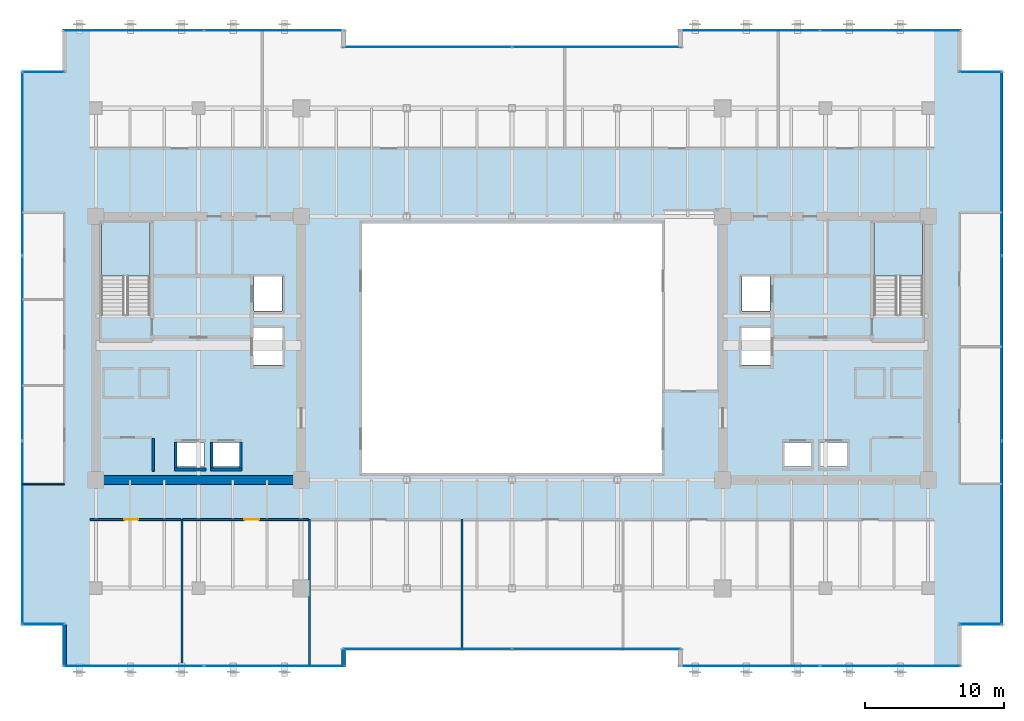
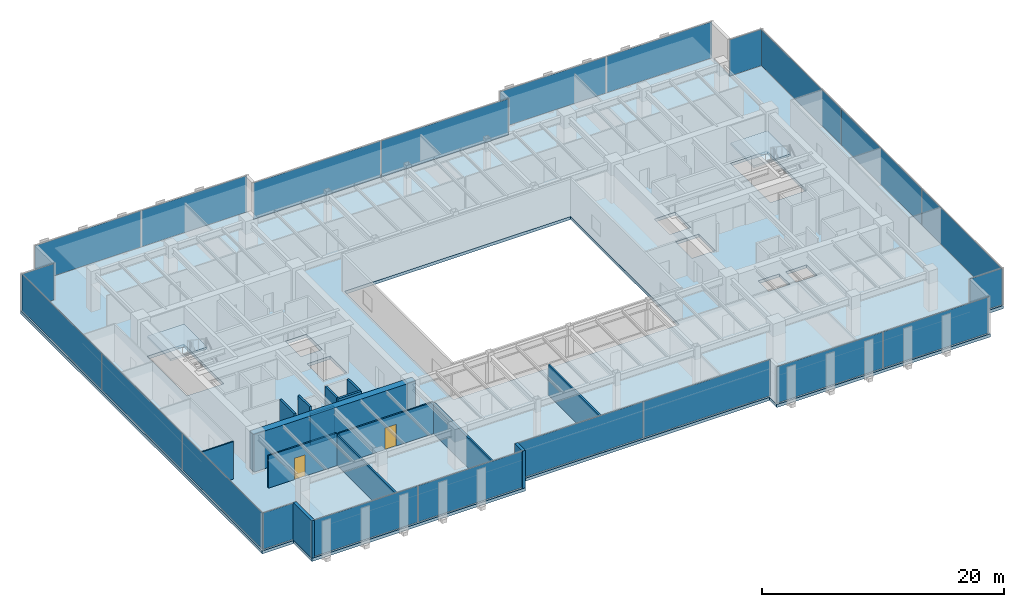
# One storey, part 24 of 34: 22 plates, 15 walls, 3 slabs, 2 doors, 2 openings, 14 elements without a shape of their own.
"""IFC4 building model written with IfcOpenShell, lengths in metres."""

from ifc_helpers import new_model, si_unit, direction, frame, frame_2d, origin, origin_2d, place, context, subcontext, project, spatial, polyline, rectangle, outline, extrude, source, transform, mapped, material, layer, layer_set, type_object, type_shapes, element, fill, aggregate, save


model = new_model("IFC4")

# Units and contexts
model_context = context("Model", 3, precision=1e-05, world=origin(), true_north=direction((0.0, 1.0)))
body_context = subcontext(model_context, "Body", "Model", "MODEL_VIEW")
ifc_project = project(units=[si_unit("LENGTHUNIT", "METRE"), si_unit("AREAUNIT", "SQUARE_METRE"), si_unit("VOLUMEUNIT", "CUBIC_METRE"), si_unit("PLANEANGLEUNIT", "RADIAN"), si_unit("MASSUNIT", "GRAM", prefix="KILO")], contexts=[model_context])

# Site, building, storey
site_placement = place(None, origin())
site = spatial("IfcSite", under=ifc_project, at=site_placement, CompositionType="ELEMENT")
building_placement = place(site_placement, origin())
building = spatial("IfcBuilding", under=site, at=building_placement, Name="Haelvirn Gate Laboratories", CompositionType="ELEMENT")
storey_placement = place(building_placement, frame((0.0, 0.0, 158.39990234375)))
storey = spatial("IfcBuildingStorey", under=building, at=storey_placement, Name="L38", CompositionType="ELEMENT", Elevation=158.39990234375)

# Stair, slab
ifc_material_1 = material(Name="Concrete C40/50", Category="concrete")
stair_type = type_object("IfcStairType", Name="ST-DOG-1650-R22", PredefinedType="HALF_TURN_STAIR", material=ifc_material_1)
stair_1_placement = place(storey_placement, origin())
stair_1 = element("IfcStair", 1, at=stair_1_placement, inside=storey, type_object=stair_type, Name="L38 Escape Stair ST1", PredefinedType="HALF_TURN_STAIR")
ifc_layer_1 = layer(ifc_material_1, 0.199951171875, Name="SL-STAIR-LND")
ifc_layer_set_1 = layer_set([ifc_layer_1], Name="Concrete C40/50")
slab_type_1 = type_object("IfcSlabType", Name="SL-STAIR-LND", PredefinedType="LANDING", material=ifc_layer_set_1)
slab_1_placement = place(storey_placement, frame((0.0, 0.0, 1.85009765625)))
slab_1 = element("IfcSlab", 2, at=slab_1_placement, type_object=slab_type_1, Name="ST1 landing 1", PredefinedType="LANDING", context=body_context, shape_type="SweptSolid", body=[
    extrude(outline(polyline([(11.300048828125, 29.5), (11.300048828125, 33.35009765625), (7.800048828125, 33.35009765625), (7.800048828125, 29.5), (11.300048828125, 29.5)])), origin(), (0.0, 0.0, 1.0), 0.199951171875),
])
aggregate(stair_1, [slab_1])

stair_2_placement = place(storey_placement, origin())
stair_2 = element("IfcStair", 3, at=stair_2_placement, inside=storey, type_object=stair_type, Name="L38 Escape Stair ST2", PredefinedType="HALF_TURN_STAIR")
slab_2_placement = place(storey_placement, frame((0.0, 0.0, 1.85009765625)))
slab_2 = element("IfcSlab", 4, at=slab_2_placement, type_object=slab_type_1, Name="ST2 landing 1", PredefinedType="LANDING", context=body_context, shape_type="SweptSolid", body=[
    extrude(outline(polyline([(67.0, 29.5), (67.0, 33.35009765625), (63.5, 33.35009765625), (63.5, 29.5), (67.0, 29.5)])), origin(), (0.0, 0.0, 1.0), 0.199951171875),
])
aggregate(stair_2, [slab_2])

# Slab
ifc_layer_2 = layer(ifc_material_1, 0.31005859375, Name="SL-Z2-310")
ifc_layer_set_2 = layer_set([ifc_layer_2], Name="Concrete C40/50")
slab_type_2 = type_object("IfcSlabType", Name="SL-Z2-310", PredefinedType="FLOOR", material=ifc_layer_set_2)
slab_3_placement = place(storey_placement, frame((0.0, 0.0, -0.309814453125)))
element("IfcSlab", 5, at=slab_3_placement, inside=storey, type_object=slab_type_2, Name="L38 Structural Slab MAIN", PredefinedType="FLOOR", context=body_context, shape_type="SweptSolid", body=[
    extrude(outline(polyline([(5.0, 1.300048828125), (25.39990234375, 1.300048828125), (25.39990234375, 2.5), (49.39990234375, 2.5), (49.39990234375, 1.300048828125), (69.800048828125, 1.300048828125), (69.800048828125, 4.300048828125), (72.800048828125, 4.300048828125), (72.800048828125, 44.300048828125), (69.800048828125, 44.300048828125), (69.800048828125, 47.300048828125), (49.39990234375, 47.300048828125), (49.39990234375, 46.10009765625), (25.39990234375, 46.10009765625), (25.39990234375, 47.300048828125), (5.0, 47.300048828125), (5.0, 44.300048828125), (2.0, 44.300048828125), (2.0, 4.300048828125), (5.0, 4.300048828125), (5.0, 1.300048828125)]), holes=[polyline([(26.60009765625, 15.300048828125), (48.199951171875, 15.300048828125), (48.199951171875, 33.300048828125), (26.60009765625, 33.300048828125), (26.60009765625, 15.300048828125)]), polyline([(11.300048828125, 26.780029296875), (11.300048828125, 33.35009765625), (7.800048828125, 33.35009765625), (7.800048828125, 26.780029296875), (11.300048828125, 26.780029296875)]), polyline([(67.0, 26.780029296875), (67.0, 33.35009765625), (63.5, 33.35009765625), (63.5, 26.780029296875), (67.0, 26.780029296875)]), polyline([(13.18994140625, 15.77001953125), (15.2099609375, 15.77001953125), (15.2099609375, 17.510009765625), (13.18994140625, 17.510009765625), (13.18994140625, 15.77001953125)]), polyline([(15.7900390625, 15.77001953125), (17.81005859375, 15.77001953125), (17.81005859375, 17.510009765625), (15.7900390625, 17.510009765625), (15.7900390625, 15.77001953125)]), polyline([(18.7900390625, 26.969970703125), (20.81005859375, 26.969970703125), (20.81005859375, 29.510009765625), (18.7900390625, 29.510009765625), (18.7900390625, 26.969970703125)]), polyline([(18.68994140625, 23.070068359375), (20.909912109375, 23.070068359375), (20.909912109375, 25.81005859375), (18.68994140625, 25.81005859375), (18.68994140625, 23.070068359375)]), polyline([(59.590087890625, 15.77001953125), (61.610107421875, 15.77001953125), (61.610107421875, 17.510009765625), (59.590087890625, 17.510009765625), (59.590087890625, 15.77001953125)]), polyline([(56.989990234375, 15.77001953125), (59.010009765625, 15.77001953125), (59.010009765625, 17.510009765625), (56.989990234375, 17.510009765625), (56.989990234375, 15.77001953125)]), polyline([(53.989990234375, 26.969970703125), (56.010009765625, 26.969970703125), (56.010009765625, 29.510009765625), (53.989990234375, 29.510009765625), (53.989990234375, 26.969970703125)]), polyline([(53.889892578125, 23.070068359375), (56.110107421875, 23.070068359375), (56.110107421875, 25.81005859375), (53.889892578125, 25.81005859375), (53.889892578125, 23.070068359375)])]), origin(), (0.0, 0.0, 1.0), 0.309814453125),
])

# Curtain wall, plates
ifc_material_2 = material(Name="Anodised bronze unitised aluminium & triple low-E glass", Category="aluminium")
ifc_layer_3 = layer(ifc_material_2, 0.179931640625, Name="CW-SYS-3")
ifc_layer_set_3 = layer_set([ifc_layer_3], Name="Anodised bronze unitised aluminium & triple low-E glass")
curtain_wall_type_1 = type_object("IfcCurtainWallType", Name="CW-SYS-3", PredefinedType="NOTDEFINED", material=ifc_layer_set_3)
curtain_wall_1_placement = place(storey_placement, origin())
curtain_wall_1 = element("IfcCurtainWall", 6, at=curtain_wall_1_placement, inside=storey, type_object=curtain_wall_type_1, Name="L38 Unitised Curtain Wall CW-L38-P0-E00-1", PredefinedType="NOTDEFINED")
ifc_material_3 = material(Name="High-selectivity bronze triple IGU 40 mm", Category="glass")
ifc_layer_4 = layer(ifc_material_3, 0.0400390625, Name="CWP-IGU-40")
ifc_layer_set_4 = layer_set([ifc_layer_4], Name="High-selectivity bronze triple IGU 40 mm")
plate_type_1 = type_object("IfcPlateType", Name="CWP-IGU-40", PredefinedType="CURTAIN_PANEL", material=ifc_layer_set_4)
shared_shape_1 = source(origin(), body_context, "Body", "SweptSolid", [
    extrude(rectangle(XDim=10.08740234375, YDim=0.0400390625, at=origin_2d()), origin(), (0.0, 0.0, 1.0), 3.659912109375),
])
plate_1_placement = place(storey_placement, frame((10.11865234375, 1.39990234375, 0.06494140625), z_axis=(0.0, 0.0, 1.0), x_axis=(1.0, 0.0, 0.0)))
plate_1 = element("IfcPlate", 7, at=plate_1_placement, type_object=plate_type_1, Name="CW3 panel 1.1", PredefinedType="CURTAIN_PANEL", context=body_context, shape_type="MappedRepresentation", body=[
    mapped(shared_shape_1, transform((0.0, 0.0, 0.0), scale=1.0)),
])
plate_2_placement = place(storey_placement, frame((20.28125, 1.39990234375, 0.06494140625), z_axis=(0.0, 0.0, 1.0), x_axis=(1.0, 0.0, 0.0)))
plate_2 = element("IfcPlate", 8, at=plate_2_placement, type_object=plate_type_1, Name="CW3 panel 2.1", PredefinedType="CURTAIN_PANEL", context=body_context, shape_type="MappedRepresentation", body=[
    mapped(shared_shape_1, transform((0.0, 0.0, 0.0), scale=1.0)),
])
aggregate(curtain_wall_1, [plate_1, plate_2])

curtain_wall_2_placement = place(storey_placement, origin())
curtain_wall_2 = element("IfcCurtainWall", 9, at=curtain_wall_2_placement, inside=storey, type_object=curtain_wall_type_1, Name="L38 Unitised Curtain Wall CW-L38-P0-E04-1", PredefinedType="NOTDEFINED")
plate_3_placement = place(storey_placement, frame((54.518798828125, 1.39990234375, 0.06494140625), z_axis=(0.0, 0.0, 1.0), x_axis=(1.0, 0.0, 0.0)))
plate_3 = element("IfcPlate", 10, at=plate_3_placement, type_object=plate_type_1, Name="CW3 panel 1.1", PredefinedType="CURTAIN_PANEL", context=body_context, shape_type="MappedRepresentation", body=[
    mapped(shared_shape_1, transform((0.0, 0.0, 0.0), scale=1.0)),
])
plate_4_placement = place(storey_placement, frame((64.68115234375, 1.39990234375, 0.06494140625), z_axis=(0.0, 0.0, 1.0), x_axis=(1.0, 0.0, 0.0)))
plate_4 = element("IfcPlate", 11, at=plate_4_placement, type_object=plate_type_1, Name="CW3 panel 2.1", PredefinedType="CURTAIN_PANEL", context=body_context, shape_type="MappedRepresentation", body=[
    mapped(shared_shape_1, transform((0.0, 0.0, 0.0), scale=1.0)),
])
aggregate(curtain_wall_2, [plate_3, plate_4])

curtain_wall_3_placement = place(storey_placement, origin())
curtain_wall_3 = element("IfcCurtainWall", 12, at=curtain_wall_3_placement, inside=storey, type_object=curtain_wall_type_1, Name="L38 Unitised Curtain Wall CW-L38-P0-E10-1", PredefinedType="NOTDEFINED")
plate_5_placement = place(storey_placement, frame((54.518798828125, 47.199951171875, 0.06494140625), z_axis=(0.0, 0.0, 1.0), x_axis=(1.0, 0.0, 0.0)))
plate_5 = element("IfcPlate", 13, at=plate_5_placement, type_object=plate_type_1, Name="CW3 panel 1.1", PredefinedType="CURTAIN_PANEL", context=body_context, shape_type="MappedRepresentation", body=[
    mapped(shared_shape_1, transform((0.0, 0.0, 0.0), scale=1.0)),
])
plate_6_placement = place(storey_placement, frame((64.68115234375, 47.199951171875, 0.06494140625), z_axis=(0.0, 0.0, 1.0), x_axis=(1.0, 0.0, 0.0)))
plate_6 = element("IfcPlate", 14, at=plate_6_placement, type_object=plate_type_1, Name="CW3 panel 2.1", PredefinedType="CURTAIN_PANEL", context=body_context, shape_type="MappedRepresentation", body=[
    mapped(shared_shape_1, transform((0.0, 0.0, 0.0), scale=1.0)),
])
aggregate(curtain_wall_3, [plate_5, plate_6])

curtain_wall_4_placement = place(storey_placement, origin())
curtain_wall_4 = element("IfcCurtainWall", 15, at=curtain_wall_4_placement, inside=storey, type_object=curtain_wall_type_1, Name="L38 Unitised Curtain Wall CW-L38-P0-E14-1", PredefinedType="NOTDEFINED")
plate_7_placement = place(storey_placement, frame((10.11865234375, 47.199951171875, 0.06494140625), z_axis=(0.0, 0.0, 1.0), x_axis=(1.0, 0.0, 0.0)))
plate_7 = element("IfcPlate", 16, at=plate_7_placement, type_object=plate_type_1, Name="CW3 panel 1.1", PredefinedType="CURTAIN_PANEL", context=body_context, shape_type="MappedRepresentation", body=[
    mapped(shared_shape_1, transform((0.0, 0.0, 0.0), scale=1.0)),
])
plate_8_placement = place(storey_placement, frame((20.28125, 47.199951171875, 0.06494140625), z_axis=(0.0, 0.0, 1.0), x_axis=(1.0, 0.0, 0.0)))
plate_8 = element("IfcPlate", 17, at=plate_8_placement, type_object=plate_type_1, Name="CW3 panel 2.1", PredefinedType="CURTAIN_PANEL", context=body_context, shape_type="MappedRepresentation", body=[
    mapped(shared_shape_1, transform((0.0, 0.0, 0.0), scale=1.0)),
])
aggregate(curtain_wall_4, [plate_7, plate_8])

curtain_wall_5_placement = place(storey_placement, origin())
curtain_wall_5 = element("IfcCurtainWall", 18, at=curtain_wall_5_placement, inside=storey, type_object=curtain_wall_type_1, Name="L38 Unitised Curtain Wall CW-L38-P0-E02-1", PredefinedType="NOTDEFINED")
shared_shape_2 = source(origin(), body_context, "Body", "SweptSolid", [
    extrude(rectangle(XDim=12.12744140625, YDim=0.0400390625, at=origin_2d()), origin(), (0.0, 0.0, 1.0), 3.659912109375),
])
plate_9_placement = place(storey_placement, frame((31.298828125, 2.60009765625, 0.06494140625), z_axis=(0.0, 0.0, 1.0), x_axis=(1.0, 0.0, 0.0)))
plate_9 = element("IfcPlate", 19, at=plate_9_placement, type_object=plate_type_1, Name="CW3 panel 1.1", PredefinedType="CURTAIN_PANEL", context=body_context, shape_type="MappedRepresentation", body=[
    mapped(shared_shape_2, transform((0.0, 0.0, 0.0), scale=1.0)),
])
plate_10_placement = place(storey_placement, frame((43.501220703125, 2.60009765625, 0.06494140625), z_axis=(0.0, 0.0, 1.0), x_axis=(1.0, 0.0, 0.0)))
plate_10 = element("IfcPlate", 20, at=plate_10_placement, type_object=plate_type_1, Name="CW3 panel 2.1", PredefinedType="CURTAIN_PANEL", context=body_context, shape_type="MappedRepresentation", body=[
    mapped(shared_shape_2, transform((0.0, 0.0, 0.0), scale=1.0)),
])
aggregate(curtain_wall_5, [plate_9, plate_10])

curtain_wall_6_placement = place(storey_placement, origin())
curtain_wall_6 = element("IfcCurtainWall", 21, at=curtain_wall_6_placement, inside=storey, type_object=curtain_wall_type_1, Name="L38 Unitised Curtain Wall CW-L38-P0-E12-1", PredefinedType="NOTDEFINED")
plate_11_placement = place(storey_placement, frame((31.298828125, 46.0, 0.06494140625), z_axis=(0.0, 0.0, 1.0), x_axis=(1.0, 0.0, 0.0)))
plate_11 = element("IfcPlate", 22, at=plate_11_placement, type_object=plate_type_1, Name="CW3 panel 1.1", PredefinedType="CURTAIN_PANEL", context=body_context, shape_type="MappedRepresentation", body=[
    mapped(shared_shape_2, transform((0.0, 0.0, 0.0), scale=1.0)),
])
plate_12_placement = place(storey_placement, frame((43.501220703125, 46.0, 0.06494140625), z_axis=(0.0, 0.0, 1.0), x_axis=(1.0, 0.0, 0.0)))
plate_12 = element("IfcPlate", 23, at=plate_12_placement, type_object=plate_type_1, Name="CW3 panel 2.1", PredefinedType="CURTAIN_PANEL", context=body_context, shape_type="MappedRepresentation", body=[
    mapped(shared_shape_2, transform((0.0, 0.0, 0.0), scale=1.0)),
])
aggregate(curtain_wall_6, [plate_11, plate_12])

# Curtain wall, plate
ifc_layer_5 = layer(ifc_material_2, 0.181884765625, Name="CW-SYS-5")
ifc_layer_set_5 = layer_set([ifc_layer_5], Name="Anodised bronze unitised aluminium & triple low-E glass")
curtain_wall_type_2 = type_object("IfcCurtainWallType", Name="CW-SYS-5", PredefinedType="NOTDEFINED", material=ifc_layer_set_5)
curtain_wall_7_placement = place(storey_placement, origin())
curtain_wall_7 = element("IfcCurtainWall", 24, at=curtain_wall_7_placement, inside=storey, type_object=curtain_wall_type_2, Name="L38 Unitised Curtain Wall CW-L38-P0-E06-1", PredefinedType="NOTDEFINED")
ifc_material_4 = material(Name="Clear low-iron notched-corner triple IGU 42 mm", Category="glass")
ifc_layer_6 = layer(ifc_material_4, 0.0419921875, Name="CWP-NTC-42")
ifc_layer_set_6 = layer_set([ifc_layer_6], Name="Clear low-iron notched-corner triple IGU 42 mm")
plate_type_2 = type_object("IfcPlateType", Name="CWP-NTC-42", PredefinedType="CURTAIN_PANEL", material=ifc_layer_set_6)
shared_shape_3 = source(origin(), body_context, "Body", "SweptSolid", [
    extrude(rectangle(XDim=3.080078125, YDim=0.0419921875, at=origin_2d()), origin(), (0.0, 0.0, 1.0), 3.659912109375),
])
type_shapes(plate_type_2, [shared_shape_3])
plate_13_placement = place(storey_placement, frame((71.179931640625, 4.39990234375, 0.06494140625), z_axis=(0.0, 0.0, 1.0), x_axis=(1.0, 0.0, 0.0)))
plate_13 = element("IfcPlate", 25, at=plate_13_placement, type_object=plate_type_2, Name="CW5 panel 1.1", PredefinedType="CURTAIN_PANEL", context=body_context, shape_type="MappedRepresentation", body=[
    mapped(shared_shape_3, transform((0.0, 0.0, 0.0), scale=1.0)),
])
aggregate(curtain_wall_7, [plate_13])

curtain_wall_8_placement = place(storey_placement, origin())
curtain_wall_8 = element("IfcCurtainWall", 26, at=curtain_wall_8_placement, inside=storey, type_object=curtain_wall_type_2, Name="L38 Unitised Curtain Wall CW-L38-P0-E08-1", PredefinedType="NOTDEFINED")
plate_14_placement = place(storey_placement, frame((71.179931640625, 44.199951171875, 0.06494140625), z_axis=(0.0, 0.0, 1.0), x_axis=(1.0, 0.0, 0.0)))
plate_14 = element("IfcPlate", 27, at=plate_14_placement, type_object=plate_type_2, Name="CW5 panel 1.1", PredefinedType="CURTAIN_PANEL", context=body_context, shape_type="MappedRepresentation", body=[
    mapped(shared_shape_3, transform((0.0, 0.0, 0.0), scale=1.0)),
])
aggregate(curtain_wall_8, [plate_14])

curtain_wall_9_placement = place(storey_placement, origin())
curtain_wall_9 = element("IfcCurtainWall", 28, at=curtain_wall_9_placement, inside=storey, type_object=curtain_wall_type_2, Name="L38 Unitised Curtain Wall CW-L38-P0-E16-1", PredefinedType="NOTDEFINED")
plate_15_placement = place(storey_placement, frame((3.6201171875, 44.199951171875, 0.06494140625), z_axis=(0.0, 0.0, 1.0), x_axis=(1.0, 0.0, 0.0)))
plate_15 = element("IfcPlate", 29, at=plate_15_placement, type_object=plate_type_2, Name="CW5 panel 1.1", PredefinedType="CURTAIN_PANEL", context=body_context, shape_type="MappedRepresentation", body=[
    mapped(shared_shape_3, transform((0.0, 0.0, 0.0), scale=1.0)),
])
aggregate(curtain_wall_9, [plate_15])

curtain_wall_10_placement = place(storey_placement, origin())
curtain_wall_10 = element("IfcCurtainWall", 30, at=curtain_wall_10_placement, inside=storey, type_object=curtain_wall_type_2, Name="L38 Unitised Curtain Wall CW-L38-P0-E18-1", PredefinedType="NOTDEFINED")
plate_16_placement = place(storey_placement, frame((3.6201171875, 4.39990234375, 0.06494140625), z_axis=(0.0, 0.0, 1.0), x_axis=(1.0, 0.0, 0.0)))
plate_16 = element("IfcPlate", 31, at=plate_16_placement, type_object=plate_type_2, Name="CW5 panel 1.1", PredefinedType="CURTAIN_PANEL", context=body_context, shape_type="MappedRepresentation", body=[
    mapped(shared_shape_3, transform((0.0, 0.0, 0.0), scale=1.0)),
])
aggregate(curtain_wall_10, [plate_16])

# Curtain wall, plates
curtain_wall_11_placement = place(storey_placement, origin())
curtain_wall_11 = element("IfcCurtainWall", 32, at=curtain_wall_11_placement, inside=storey, type_object=curtain_wall_type_1, Name="L38 Unitised Curtain Wall CW-L38-P0-E07", PredefinedType="NOTDEFINED")
shared_shape_4 = source(origin(), body_context, "Body", "SweptSolid", [
    extrude(rectangle(XDim=13.220947265625, YDim=0.0400390625, at=origin_2d()), origin(), (0.0, 0.0, 1.0), 3.659912109375),
])
plate_17_placement = place(storey_placement, frame((72.699951171875, 10.9853515625, 0.06494140625), z_axis=(0.0, 0.0, 1.0), x_axis=(0.0, 1.0, 0.0)))
plate_17 = element("IfcPlate", 33, at=plate_17_placement, type_object=plate_type_1, Name="CW3 panel 1.1", PredefinedType="CURTAIN_PANEL", context=body_context, shape_type="MappedRepresentation", body=[
    mapped(shared_shape_4, transform((0.0, 0.0, 0.0), scale=1.0)),
])
plate_18_placement = place(storey_placement, frame((72.699951171875, 37.614501953125, 0.06494140625), z_axis=(0.0, 0.0, 1.0), x_axis=(0.0, 1.0, 0.0)))
plate_18 = element("IfcPlate", 34, at=plate_18_placement, type_object=plate_type_1, Name="CW3 panel 3.1", PredefinedType="CURTAIN_PANEL", context=body_context, shape_type="MappedRepresentation", body=[
    mapped(shared_shape_4, transform((0.0, 0.0, 0.0), scale=1.0)),
])

curtain_wall_12_placement = place(storey_placement, origin())
curtain_wall_12 = element("IfcCurtainWall", 35, at=curtain_wall_12_placement, inside=storey, type_object=curtain_wall_type_1, Name="L38 Unitised Curtain Wall CW-L38-P0-E17", PredefinedType="NOTDEFINED")
plate_19_placement = place(storey_placement, frame((2.10009765625, 37.614501953125, 0.06494140625), z_axis=(0.0, 0.0, 1.0), x_axis=(0.0, -1.0, 0.0)))
plate_19 = element("IfcPlate", 36, at=plate_19_placement, type_object=plate_type_1, Name="CW3 panel 1.1", PredefinedType="CURTAIN_PANEL", context=body_context, shape_type="MappedRepresentation", body=[
    mapped(shared_shape_4, transform((0.0, 0.0, 0.0), scale=1.0)),
])
plate_20_placement = place(storey_placement, frame((2.10009765625, 10.9853515625, 0.06494140625), z_axis=(0.0, 0.0, 1.0), x_axis=(0.0, -1.0, 0.0)))
plate_20 = element("IfcPlate", 37, at=plate_20_placement, type_object=plate_type_1, Name="CW3 panel 3.1", PredefinedType="CURTAIN_PANEL", context=body_context, shape_type="MappedRepresentation", body=[
    mapped(shared_shape_4, transform((0.0, 0.0, 0.0), scale=1.0)),
])

# Plate
shared_shape_5 = source(origin(), body_context, "Body", "SweptSolid", [
    extrude(rectangle(XDim=13.25830078125, YDim=0.0400390625, at=origin_2d()), origin(), (0.0, 0.0, 1.0), 3.659912109375),
])
type_shapes(plate_type_1, [shared_shape_1, shared_shape_2, shared_shape_4, shared_shape_5])
plate_21_placement = place(storey_placement, frame((72.699951171875, 24.300048828125, 0.06494140625), z_axis=(0.0, 0.0, 1.0), x_axis=(0.0, 1.0, 0.0)))
plate_21 = element("IfcPlate", 38, at=plate_21_placement, type_object=plate_type_1, Name="CW3 panel 2.1", PredefinedType="CURTAIN_PANEL", context=body_context, shape_type="MappedRepresentation", body=[
    mapped(shared_shape_5, transform((0.0, 0.0, 0.0), scale=1.0)),
])

aggregate(curtain_wall_11, [plate_17, plate_21, plate_18])

plate_22_placement = place(storey_placement, frame((2.10009765625, 24.300048828125, 0.06494140625), z_axis=(0.0, 0.0, 1.0), x_axis=(0.0, -1.0, 0.0)))
plate_22 = element("IfcPlate", 39, at=plate_22_placement, type_object=plate_type_1, Name="CW3 panel 2.1", PredefinedType="CURTAIN_PANEL", context=body_context, shape_type="MappedRepresentation", body=[
    mapped(shared_shape_5, transform((0.0, 0.0, 0.0), scale=1.0)),
])

aggregate(curtain_wall_12, [plate_19, plate_22, plate_20])

# Walls
ifc_material_5 = material(Name="Thermally-broken bronze aluminium rainscreen & mineral wool", Category="aluminium")
ifc_layer_7 = layer(ifc_material_5, 0.280029296875, Name="EW-TERR-280")
ifc_layer_set_7 = layer_set([ifc_layer_7], Name="Thermally-broken bronze aluminium rainscreen & mineral wool")
wall_type_1 = type_object("IfcWallType", Name="EW-TERR-280", PredefinedType="STANDARD", material=ifc_layer_set_7)
wall_1_placement = place(storey_placement, frame((25.260009765625, 1.300048828125, 0.0), z_axis=(0.0, 0.0, 1.0), x_axis=(0.0, 1.0, 0.0)))
element("IfcWall", 40, at=wall_1_placement, inside=storey, type_object=wall_type_1, Name="L38 Atrium Recess Bronze Return Wall 01", PredefinedType="STANDARD", context=body_context, shape_type="SweptSolid", body=[
    extrude(rectangle(XDim=1.287841796875, YDim=0.280029296875, at=frame_2d((0.64404296875, 0.0))), origin(), (0.0, 0.0, 1.0), 3.7900390625),
])
wall_2_placement = place(storey_placement, frame((5.139892578125, 4.387939453125, 0.0), z_axis=(0.0, 0.0, 1.0), x_axis=(0.0, -1.0, 0.0)))
element("IfcWall", 41, at=wall_2_placement, inside=storey, type_object=wall_type_1, Name="L38 Atrium Recess Bronze Return Wall 19", PredefinedType="STANDARD", context=body_context, shape_type="SweptSolid", body=[
    extrude(rectangle(XDim=3.087890625, YDim=0.280029296875, at=frame_2d((1.5439453125, 0.0))), origin(), (0.0, 0.0, 1.0), 3.7900390625),
])
ifc_material_6 = material(Name="Double-layer acoustic gypsum laboratory partition", Category="gypsum")
ifc_layer_8 = layer(ifc_material_6, 0.159912109375, Name="IW-ACOUST-160")
ifc_layer_set_8 = layer_set([ifc_layer_8], Name="Double-layer acoustic gypsum laboratory partition")
wall_type_2 = type_object("IfcWallType", Name="IW-ACOUST-160", PredefinedType="PARTITIONING", material=ifc_layer_set_8)
for number, where, z_axis, x_axis, name in (
    (42, (13.60009765625, 1.409912109375, 0.0), (0.0, 0.0, 1.0), (0.0, 1.0, 0.0), "L38 Interior Wall IW-L38-SDIV-01"),
    (43, (22.800048828125, 1.409912109375, 0.0), (0.0, 0.0, 1.0), (0.0, 1.0, 0.0), "L38 Interior Wall IW-L38-SDIV-02"),
):
    element("IfcWall", number, at=place(storey_placement, frame(where, z_axis=z_axis, x_axis=x_axis)), inside=storey, type_object=wall_type_2, Name=name, PredefinedType="PARTITIONING", context=body_context, shape_type="SweptSolid", body=[
        extrude(rectangle(XDim=10.530029296875, YDim=0.159912109375, at=frame_2d((5.26513671875, 0.0))), origin(), (0.0, 0.0, 1.0), 3.0751953125),
    ])
wall_3_placement = place(storey_placement, frame((33.800048828125, 2.610107421875, 0.0), z_axis=(0.0, 0.0, 1.0), x_axis=(0.0, 1.0, 0.0)))
element("IfcWall", 44, at=wall_3_placement, inside=storey, type_object=wall_type_2, Name="L38 Interior Wall IW-L38-SDIV-03", PredefinedType="PARTITIONING", context=body_context, shape_type="SweptSolid", body=[
    extrude(rectangle(XDim=9.329833984375, YDim=0.159912109375, at=frame_2d((4.6650390625, 0.0))), origin(), (0.0, 0.0, 1.0), 3.0751953125),
])
ifc_material_7 = material(Name="Lightweight acoustic gypsum board partition", Category="gypsum")
ifc_layer_9 = layer(ifc_material_7, 0.1201171875, Name="IW-PART-120")
ifc_layer_set_9 = layer_set([ifc_layer_9], Name="Lightweight acoustic gypsum board partition")
wall_type_3 = type_object("IfcWallType", Name="IW-PART-120", PredefinedType="PARTITIONING", material=ifc_layer_set_9)
wall_4_placement = place(storey_placement, frame((2.110107421875, 14.514892578125, 0.0), z_axis=(0.0, 0.0, 1.0), x_axis=(1.0, 0.0, 0.0)))
element("IfcWall", 45, at=wall_4_placement, inside=storey, type_object=wall_type_3, Name="L38 Interior Wall IW-L38-WCAP-S", PredefinedType="PARTITIONING", context=body_context, shape_type="SweptSolid", body=[
    extrude(rectangle(XDim=3.019775390625, YDim=0.1201171875, at=frame_2d((1.509765625, 0.0))), origin(), (0.0, 0.0, 1.0), 3.7900390625),
])

# Wall, opening, door
ifc_material_8 = material(Name="Acoustic mineral-wool gypsum board partition", Category="gypsum")
ifc_layer_10 = layer(ifc_material_8, 0.139892578125, Name="IW-PART-140")
ifc_layer_set_10 = layer_set([ifc_layer_10], Name="Acoustic mineral-wool gypsum board partition")
wall_type_4 = type_object("IfcWallType", Name="IW-PART-140", PredefinedType="PARTITIONING", material=ifc_layer_set_10)
wall_5_placement = place(storey_placement, frame((6.97998046875, 11.93994140625, 0.0), z_axis=(0.0, 0.0, 1.0), x_axis=(1.0, 0.0, 0.0)))
wall_5 = element("IfcWall", 46, at=wall_5_placement, inside=storey, type_object=wall_type_4, Name="L38 Interior Wall IW-L38-SCORR-01", PredefinedType="PARTITIONING", context=body_context, shape_type="SweptSolid", body=[
    extrude(rectangle(XDim=6.5400390625, YDim=0.139892578125, at=frame_2d((3.27001953125, 0.0))), origin(), (0.0, 0.0, 1.0), 3.275146484375),
])
opening_1_placement = place(wall_5_placement, frame((2.4794921875, 0.0, 0.0)))
opening_1 = element("IfcOpeningElement", 47, at=opening_1_placement, cuts=wall_5, Name="Opening D2", PredefinedType="OPENING", context=body_context, shape_type="SweptSolid", body=[
    extrude(rectangle(XDim=1.0, YDim=2.14990234375, at=frame_2d((0.5, 1.074951171875))), frame((0.0, 0.080078125, 0.0), z_axis=(0.0, -1.0, 0.0), x_axis=(1.0, 0.0, 0.0)), (0.0, 0.0, 1.0), 0.159912109375),
])
ifc_material_9 = material(Name="Acoustic solid-core timber suite door", Category="wood")
door_type_1 = type_object("IfcDoorType", Name="DR-INT-1000", OperationType="NOTDEFINED", PredefinedType="DOOR", material=ifc_material_9)
shared_shape_6 = source(origin(), body_context, "Body", "SweptSolid", [
    extrude(rectangle(XDim=1.0, YDim=2.14990234375, at=frame_2d((0.5, 1.074951171875))), frame((0.0, 0.02490234375, 0.0), z_axis=(0.0, -1.0, 0.0), x_axis=(1.0, 0.0, 0.0)), (0.0, 0.0, 1.0), 0.050048828125),
])
type_shapes(door_type_1, [shared_shape_6])
door_1_placement = place(opening_1_placement, origin())
door_1 = element("IfcDoor", 48, at=door_1_placement, inside=storey, type_object=door_type_1, Name="L38 Bioinformatics Dry-Lab Workspace Door S1", OperationType="SINGLE_SWING_LEFT", OverallHeight=2.14990234375, OverallWidth=1.0, PredefinedType="DOOR", context=body_context, shape_type="MappedRepresentation", body=[
    mapped(shared_shape_6, transform((0.0, 0.0, 0.0), scale=1.0)),
])
fill(opening_1, door_1)

wall_6_placement = place(storey_placement, frame((13.679931640625, 11.93994140625, 0.0), z_axis=(0.0, 0.0, 1.0), x_axis=(1.0, 0.0, 0.0)))
wall_6 = element("IfcWall", 49, at=wall_6_placement, inside=storey, type_object=wall_type_4, Name="L38 Interior Wall IW-L38-SCORR-02", PredefinedType="PARTITIONING", context=body_context, shape_type="SweptSolid", body=[
    extrude(rectangle(XDim=9.0400390625, YDim=0.139892578125, at=frame_2d((4.52001953125, 0.0))), origin(), (0.0, 0.0, 1.0), 3.18701171875),
])
opening_2_placement = place(wall_6_placement, frame((4.404296875, 0.0, 0.0)))
opening_2 = element("IfcOpeningElement", 50, at=opening_2_placement, cuts=wall_6, Name="Opening D1", PredefinedType="OPENING", context=body_context, shape_type="SweptSolid", body=[
    extrude(rectangle(XDim=1.10009765625, YDim=2.179931640625, at=frame_2d((0.550048828125, 1.08984375))), frame((0.0, 0.080078125, 0.0), z_axis=(0.0, -1.0, 0.0), x_axis=(1.0, 0.0, 0.0)), (0.0, 0.0, 1.0), 0.159912109375),
])
ifc_material_10 = material(Name="Vision-panel acoustic solid-core timber lab door", Category="wood")
door_type_2 = type_object("IfcDoorType", Name="DR-LAB-1100", OperationType="NOTDEFINED", PredefinedType="DOOR", material=ifc_material_10)
shared_shape_7 = source(origin(), body_context, "Body", "SweptSolid", [
    extrude(rectangle(XDim=1.10009765625, YDim=2.179931640625, at=frame_2d((0.550048828125, 1.08984375))), frame((0.0, 0.02490234375, 0.0), z_axis=(0.0, -1.0, 0.0), x_axis=(1.0, 0.0, 0.0)), (0.0, 0.0, 1.0), 0.050048828125),
])
type_shapes(door_type_2, [shared_shape_7])
door_2_placement = place(opening_2_placement, origin())
door_2 = element("IfcDoor", 51, at=door_2_placement, inside=storey, type_object=door_type_2, Name="L38 Translational Data Office Door S2", OperationType="SINGLE_SWING_RIGHT", OverallHeight=2.179931640625, OverallWidth=1.10009765625, PredefinedType="DOOR", context=body_context, shape_type="MappedRepresentation", body=[
    mapped(shared_shape_7, transform((0.0, 0.0, 0.0), scale=1.0)),
])
fill(opening_2, door_2)

# Walls
ifc_layer_11 = layer(ifc_material_1, 0.179931640625, Name="IW-SHAFT-180")
ifc_layer_set_11 = layer_set([ifc_layer_11], Name="Concrete C40/50")
wall_type_5 = type_object("IfcWallType", Name="IW-SHAFT-180", PredefinedType="SOLIDWALL", material=ifc_layer_set_11)
for number, where, z_axis, x_axis, name in (
    (52, (13.14990234375, 15.64990234375, 0.0), (0.0, 0.0, 1.0), (0.0, 1.0, 0.0), "L38 Interior Wall IW-L38-PL5-SD"),
    (53, (15.75, 15.64990234375, 0.0), (0.0, 0.0, 1.0), (0.0, 1.0, 0.0), "L38 Interior Wall IW-L38-PL6-SD"),
    (54, (17.85009765625, 15.64990234375, 0.0), (0.0, 0.0, 1.0), (0.0, 1.0, 0.0), "L38 Interior Wall IW-L38-PL6-SDE"),
):
    element("IfcWall", number, at=place(storey_placement, frame(where, z_axis=z_axis, x_axis=x_axis)), inside=storey, type_object=wall_type_5, Name=name, PredefinedType="SOLIDWALL", context=body_context, shape_type="SweptSolid", body=[
        extrude(rectangle(XDim=1.900146484375, YDim=0.179931640625, at=frame_2d((0.9501953125, 0.0))), origin(), (0.0, 0.0, 1.0), 3.7900390625),
    ])
wall_7_placement = place(storey_placement, frame((11.5400390625, 15.39990234375, 0.0), z_axis=(0.0, 0.0, 1.0), x_axis=(0.0, 1.0, 0.0)))
element("IfcWall", 55, at=wall_7_placement, inside=storey, type_object=wall_type_5, Name="L38 Interior Wall IW-L38-W-FREED-LE-1", PredefinedType="SOLIDWALL", context=body_context, shape_type="SweptSolid", body=[
    extrude(rectangle(XDim=2.400146484375, YDim=0.179931640625, at=frame_2d((1.2001953125, 0.0))), origin(), (0.0, 0.0, 1.0), 3.7900390625),
])
ifc_layer_12 = layer(ifc_material_1, 0.199951171875, Name="IW-SHAFT-200")
ifc_layer_set_12 = layer_set([ifc_layer_12], Name="Concrete C40/50")
wall_type_6 = type_object("IfcWallType", Name="IW-SHAFT-200", PredefinedType="SOLIDWALL", material=ifc_layer_set_12)
wall_8_placement = place(storey_placement, frame((13.070068359375, 15.550048828125, 0.0), z_axis=(0.0, 0.0, 1.0), x_axis=(1.0, 0.0, 0.0)))
element("IfcWall", 56, at=wall_8_placement, inside=storey, type_object=wall_type_6, Name="L38 Interior Wall IW-L38-PL5-BK", PredefinedType="SOLIDWALL", context=body_context, shape_type="SweptSolid", body=[
    extrude(rectangle(XDim=2.260009765625, YDim=0.199951171875, at=frame_2d((1.1298828125, 0.0))), origin(), (0.0, 0.0, 1.0), 3.18701171875),
])
wall_9_placement = place(storey_placement, frame((15.669921875, 15.550048828125, 0.0), z_axis=(0.0, 0.0, 1.0), x_axis=(1.0, 0.0, 0.0)))
element("IfcWall", 57, at=wall_9_placement, inside=storey, type_object=wall_type_6, Name="L38 Interior Wall IW-L38-PL6-BK", PredefinedType="SOLIDWALL", context=body_context, shape_type="SweptSolid", body=[
    extrude(rectangle(XDim=2.260009765625, YDim=0.199951171875, at=frame_2d((1.1298828125, 0.0))), origin(), (0.0, 0.0, 1.0), 3.7900390625),
])
ifc_material_11 = material(Name="Concrete C60/75", Category="concrete")
ifc_layer_13 = layer(ifc_material_11, 0.64990234375, Name="SW-CORE-650")
ifc_layer_set_13 = layer_set([ifc_layer_13], Name="Concrete C60/75")
wall_type_7 = type_object("IfcWallType", Name="SW-CORE-650", PredefinedType="SHEAR", material=ifc_layer_set_13)
wall_10_placement = place(storey_placement, frame((7.074951171875, 14.800048828125, 0.0), z_axis=(0.0, 0.0, 1.0), x_axis=(1.0, 0.0, 0.0)))
element("IfcWall", 58, at=wall_10_placement, inside=storey, type_object=wall_type_7, Name="L38 W Core Shear Wall S", PredefinedType="SHEAR", context=body_context, shape_type="SweptSolid", body=[
    extrude(rectangle(XDim=15.449951171875, YDim=0.64990234375, at=frame_2d((7.72509765625, 0.0))), origin(), (0.0, 0.0, 1.0), 3.7900390625),
])

save(model, "model.ifc")
